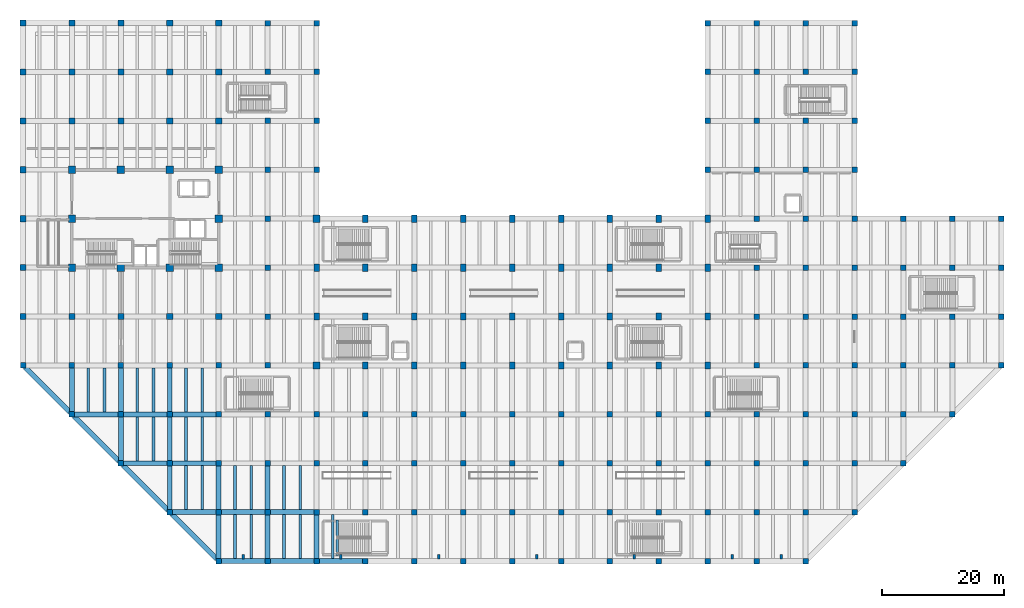
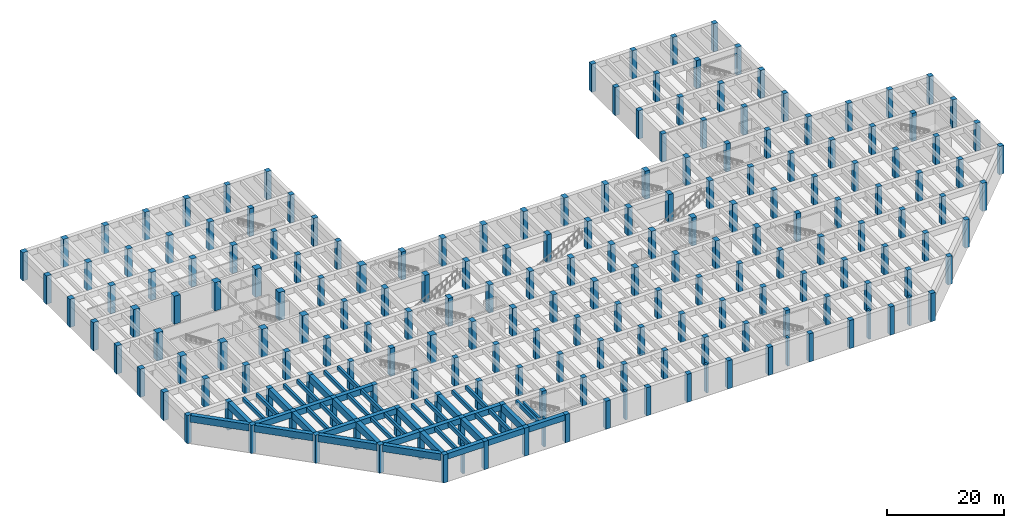
# One storey, part 1 of 24: 197 columns, 48 beams.
"""IFC4 building model written with IfcOpenShell, lengths in metres."""

import ifcopenshell
import ifcopenshell.guid

model = None  # the IFC model being written
_history = None  # IfcOwnerHistory: only IFC2X3 demands one
_inside = {}  # id of a spatial element -> (the spatial element, [elements in it])
_under = {}  # id of a project, library or spatial element -> (it, [spatial elements below it])
_declared = {}  # id of a project -> (the project, [libraries it declares])
_typed = {}  # id of a type object -> (the type object, [elements of that type])
_made_of = {}  # id of a material, layer set ... -> (it, [elements and type objects made of it])


def new_model(schema):
    """Start an empty IFC model of exactly this schema.

    Asked for "IFC4X3", IfcOpenShell would pick the latest addendum, in which some entities
    have other attributes; the version numbers below select the first issue.
    IFC2X3 requires an IfcOwnerHistory on every rooted entity: one is made here for all.
    """
    global model, _history
    if schema == "IFC4X3":
        model = ifcopenshell.file(schema_version=(4, 3, 0, 0))
    else:
        model = ifcopenshell.file(schema=schema)
    _inside.clear()
    _under.clear()
    _declared.clear()
    _typed.clear()
    _made_of.clear()
    _history = None
    if model.schema == "IFC2X3":
        org = make("IfcOrganization", Name="unknown")
        user = make(
            "IfcPersonAndOrganization",
            ThePerson=make("IfcPerson", FamilyName="unknown"),
            TheOrganization=org,
        )
        app = make(
            "IfcApplication",
            ApplicationDeveloper=org,
            Version="unknown",
            ApplicationFullName="unknown",
            ApplicationIdentifier="unknown",
        )
        _history = make(
            "IfcOwnerHistory",
            OwningUser=user,
            OwningApplication=app,
            ChangeAction="ADDED",
            CreationDate=0,
        )
    return model


def make(cls, **values):
    """One entity of the class cls with the attributes given. An attribute that is None is left unset."""
    return model.create_entity(
        cls, **{name: value for name, value in values.items() if value is not None}
    )


def rooted(cls, **values):
    """An entity with a GlobalId (a new one), such as an element, a storey or a relation."""
    return make(cls, GlobalId=ifcopenshell.guid.new(), OwnerHistory=_history, **values)


def si_unit(unit_type, name, prefix=None):
    """IfcSIUnit, for example si_unit("LENGTHUNIT", "METRE", prefix="MILLI")."""
    return make("IfcSIUnit", UnitType=unit_type, Prefix=prefix, Name=name)


def assignment(units):
    """IfcUnitAssignment: the units of a project."""
    return None if units is None else make("IfcUnitAssignment", Units=units)


def point(xyz):
    """IfcCartesianPoint."""
    return None if xyz is None else make("IfcCartesianPoint", Coordinates=xyz)


def direction(xyz):
    """IfcDirection."""
    return None if xyz is None else make("IfcDirection", DirectionRatios=xyz)


def frame(location, z_axis=None, x_axis=None):
    """IfcAxis2Placement3D, a coordinate frame: its origin and axes. An axis left out is left unset."""
    return make(
        "IfcAxis2Placement3D",
        Location=point(location),
        Axis=direction(z_axis),
        RefDirection=direction(x_axis),
    )


def frame_2d(location, x_axis=None):
    """IfcAxis2Placement2D, a coordinate frame in the plane: its origin and x axis."""
    return make(
        "IfcAxis2Placement2D", Location=point(location), RefDirection=direction(x_axis)
    )


def origin():
    """The frame at (0, 0, 0) with its axes left unset."""
    return frame((0.0, 0.0, 0.0))


def origin_2d():
    """The frame at (0, 0) in the plane with its x axis left unset."""
    return frame_2d((0.0, 0.0))


def place(relative_to, where):
    """IfcLocalPlacement: puts the frame where relative to a parent placement (None: the world)."""
    return make(
        "IfcLocalPlacement", PlacementRelTo=relative_to, RelativePlacement=where
    )


def context(
    kind, dimensions, precision=None, world=None, true_north=None, identifier=None
):
    """IfcGeometricRepresentationContext, for example the 3D "Model" context."""
    return make(
        "IfcGeometricRepresentationContext",
        ContextIdentifier=identifier,
        ContextType=kind,
        CoordinateSpaceDimension=dimensions,
        Precision=precision,
        WorldCoordinateSystem=world,
        TrueNorth=true_north,
    )


def subcontext(parent, identifier, kind, view, scale=None):
    """IfcGeometricRepresentationSubContext, for example "Body" below "Model"."""
    return make(
        "IfcGeometricRepresentationSubContext",
        ContextIdentifier=identifier,
        ContextType=kind,
        ParentContext=parent,
        TargetScale=scale,
        TargetView=view,
    )


def project(units=None, contexts=None):
    """IfcProject with its units and contexts."""
    return rooted(
        "IfcProject",
        Name="project",
        RepresentationContexts=contexts,
        UnitsInContext=assignment(units),
    )


def spatial(cls, under=None, at=None, **own):
    """A site, building, storey or space (cls), placed at a placement, below another one or the project."""
    s = rooted(cls, ObjectPlacement=at, **own)
    if under is not None:
        _under.setdefault(under.id(), (under, []))[1].append(s)
    return s


def profile(cls, at=None, kind="AREA", **sizes):
    """A parametric profile (cls). Its sizes go by their IFC names, for example OverallWidth=200.0."""
    return make(cls, ProfileType=kind, Position=at, **sizes)


def rectangle(**sizes):
    """IfcRectangleProfileDef."""
    return profile("IfcRectangleProfileDef", **sizes)


def extrude(swept, where, along, depth):
    """IfcExtrudedAreaSolid: the profile swept, set in the frame where, extruded along a direction by depth."""
    return make(
        "IfcExtrudedAreaSolid",
        SweptArea=swept,
        Position=where,
        ExtrudedDirection=direction(along),
        Depth=depth,
    )


def shape(context_of_items, identifier, shape_type, items):
    """IfcShapeRepresentation: the items that make up one representation, for example the "Body"."""
    return make(
        "IfcShapeRepresentation",
        ContextOfItems=context_of_items,
        RepresentationIdentifier=identifier,
        RepresentationType=shape_type,
        Items=items,
    )


def material(Name=None, Category=None):
    """IfcMaterial."""
    return make("IfcMaterial", Name=Name, Category=Category)


def material_profile(
    of_material, cross_section, Name=None, Category=None, Priority=None
):
    """IfcMaterialProfile: a cross section and its material."""
    return make(
        "IfcMaterialProfile",
        Name=Name,
        Material=of_material,
        Profile=cross_section,
        Priority=Priority,
        Category=Category,
    )


def profile_set(profiles, Name=None, composite=None):
    """IfcMaterialProfileSet."""
    return make(
        "IfcMaterialProfileSet",
        Name=Name,
        MaterialProfiles=profiles,
        CompositeProfile=composite,
    )


def made_of(thing, what):
    """Note that an element or type object is made of a material, layer set ...; save() writes the relation."""
    if what is not None:
        _made_of.setdefault(what.id(), (what, []))[1].append(thing)
    return thing


def type_object(cls, material=None, **own):
    """A type object (cls), such as IfcWallType, which elements share."""
    return made_of(rooted(cls, **own), material)


def element(
    cls,
    number,
    at=None,
    inside=None,
    cuts=None,
    type_object=None,
    material=None,
    context=None,
    identifier="Body",
    shape_type=None,
    held_by="IfcProductDefinitionShape",
    body=None,
    shapes=None,
    **own,
):
    """One element of the class cls, such as IfcWall. Its Tag is "e" and its number.

    at: its placement. inside: the storey or other place that contains it. cuts: it is an
    opening in that element (IfcRelVoidsElement). A single representation is given by context,
    identifier, shape_type and body (its items); several are given by shapes. held_by: the class
    of the entity that holds the representations. save() writes the other relations.
    """
    e = rooted(cls, Tag="e%d" % number, ObjectPlacement=at, **own)
    if body is not None:
        shapes = [shape(context, identifier, shape_type, body)]
    if shapes is not None:
        e.Representation = make(held_by, Representations=shapes)
    if inside is not None:
        _inside.setdefault(inside.id(), (inside, []))[1].append(e)
    if cuts is not None:
        rooted(
            "IfcRelVoidsElement", RelatingBuildingElement=cuts, RelatedOpeningElement=e
        )
    if type_object is not None:
        _typed.setdefault(type_object.id(), (type_object, []))[1].append(e)
    return made_of(e, material)


def aggregate(whole, parts):
    """IfcRelAggregates: a whole, such as a stair, and the parts it consists of."""
    return rooted("IfcRelAggregates", RelatingObject=whole, RelatedObjects=parts)


def save(model, path):
    """Write the relations noted so far, then the file.

    IfcRelAggregates (storeys below a building ...), IfcRelContainedInSpatialStructure (elements
    in a storey), IfcRelDefinesByType, IfcRelAssociatesMaterial and IfcRelDeclares: one each for
    every whole, place, type object, material and project.
    """
    for whole, parts in _under.values():
        aggregate(whole, parts)
    for where, things in _inside.values():
        rooted(
            "IfcRelContainedInSpatialStructure",
            RelatedElements=things,
            RelatingStructure=where,
        )
    for kind, things in _typed.values():
        rooted("IfcRelDefinesByType", RelatedObjects=things, RelatingType=kind)
    for what, things in _made_of.values():
        rooted("IfcRelAssociatesMaterial", RelatedObjects=things, RelatingMaterial=what)
    for by, libraries in _declared.values():
        rooted("IfcRelDeclares", RelatingContext=by, RelatedDefinitions=libraries)
    model.write(path)


model = new_model("IFC4")

# Units and contexts
model_context = context("Model", 3, precision=1e-05, world=origin(), true_north=direction((0.0, 1.0)))
body_context = subcontext(model_context, "Body", "Model", "MODEL_VIEW")
ifc_project = project(units=[si_unit("LENGTHUNIT", "METRE"), si_unit("AREAUNIT", "SQUARE_METRE"), si_unit("VOLUMEUNIT", "CUBIC_METRE"), si_unit("PLANEANGLEUNIT", "RADIAN"), si_unit("MASSUNIT", "GRAM", prefix="KILO")], contexts=[model_context])

# Site, building, storey
site_placement = place(None, origin())
site = spatial("IfcSite", under=ifc_project, at=site_placement, CompositionType="ELEMENT")
building_placement = place(site_placement, origin())
building = spatial("IfcBuilding", under=site, at=building_placement, Name="Varnela Railside Interchange", CompositionType="ELEMENT")
storey_placement = place(building_placement, frame((0.0, 0.0, -6.300048828125)))
storey = spatial("IfcBuildingStorey", under=building, at=storey_placement, Name="B1", CompositionType="ELEMENT", Elevation=-6.300048828125)

# Columns
ifc_material_1 = material(Name="Concrete C50", Category="concrete")
ifc_material_profile_1 = material_profile(ifc_material_1, rectangle(XDim=0.39990234375, YDim=0.800048828125, at=origin_2d()), Name="RC 400x800")
ifc_profile_set_1 = profile_set([ifc_material_profile_1], Name="Concrete C50")
column_type_1 = type_object("IfcColumnType", Name="Diaphragm Wall Pilaster CP-01", PredefinedType="PILASTER", material=ifc_profile_set_1)
for number, where, z_axis, x_axis, name in (
    (1, (40.0, 6.699951171875, 0.0), (0.0, 0.0, 1.0), (1.0, 0.0, 0.0), "Column CP-01 (B1) (CL-0388)"),
    (2, (56.0, 6.699951171875, 0.0), (0.0, 0.0, 1.0), (1.0, 0.0, 0.0), "Column CP-01 (B1) (CL-0389)"),
    (3, (72.0, 6.699951171875, 0.0), (0.0, 0.0, 1.0), (1.0, 0.0, 0.0), "Column CP-01 (B1) (CL-0390)"),
    (4, (88.0, 6.699951171875, 0.0), (0.0, 0.0, 1.0), (1.0, 0.0, 0.0), "Column CP-01 (B1) (CL-0391)"),
    (5, (104.0, 6.699951171875, 0.0), (0.0, 0.0, 1.0), (1.0, 0.0, 0.0), "Column CP-01 (B1) (CL-0392)"),
    (6, (120.0, 6.699951171875, 0.0), (0.0, 0.0, 1.0), (1.0, 0.0, 0.0), "Column CP-01 (B1) (CL-0393)"),
    (7, (128.0, 6.699951171875, 0.0), (0.0, 0.0, 1.0), (1.0, 0.0, 0.0), "Column CP-01 (B1) (CL-0394)"),
):
    element("IfcColumn", number, at=place(storey_placement, frame(where, z_axis=z_axis, x_axis=x_axis)), inside=storey, type_object=column_type_1, Name=name, PredefinedType="PILASTER", context=body_context, shape_type="SweptSolid", body=[
        extrude(rectangle(XDim=0.39990234375, YDim=0.800048828125, at=origin_2d()), origin(), (0.0, 0.0, 1.0), 5.85009765625),
    ])
ifc_material_profile_2 = material_profile(ifc_material_1, rectangle(XDim=0.89990234375, YDim=1.199951171875, at=origin_2d()), Name="RC 900x1200")
ifc_profile_set_2 = profile_set([ifc_material_profile_2], Name="Concrete C50")
column_type_2 = type_object("IfcColumnType", Name="Plinth Rectangular Column C-06", PredefinedType="COLUMN", material=ifc_profile_set_2)
for number, where, z_axis, x_axis, name in (
    (8, (52.0, 46.0, 0.0), (0.0, 0.0, 1.0), (1.0, 0.0, 0.0), "Column C-06 (B1) (CL-0365)"),
    (9, (52.0, 54.0, 0.0), (0.0, 0.0, 1.0), (1.0, 0.0, 0.0), "Column C-06 (B1) (CL-0366)"),
    (10, (60.0, 38.0, 0.0), (0.0, 0.0, 1.0), (1.0, 0.0, 0.0), "Column C-06 (B1) (CL-0376)"),
    (11, (60.0, 46.0, 0.0), (0.0, 0.0, 1.0), (1.0, 0.0, 0.0), "Column C-06 (B1) (CL-0377)"),
    (12, (60.0, 54.0, 0.0), (0.0, 0.0, 1.0), (1.0, 0.0, 0.0), "Column C-06 (B1) (CL-0378)"),
    (13, (60.0, 62.0, 0.0), (0.0, 0.0, 1.0), (1.0, 0.0, 0.0), "Column C-06 (B1) (CL-0379)"),
    (14, (68.0, 38.0, 0.0), (0.0, 0.0, 1.0), (1.0, 0.0, 0.0), "Column C-06 (B1) (CL-0384)"),
    (15, (68.0, 46.0, 0.0), (0.0, 0.0, 1.0), (1.0, 0.0, 0.0), "Column C-06 (B1) (CL-0385)"),
    (16, (68.0, 54.0, 0.0), (0.0, 0.0, 1.0), (1.0, 0.0, 0.0), "Column C-06 (B1) (CL-0386)"),
    (17, (68.0, 62.0, 0.0), (0.0, 0.0, 1.0), (1.0, 0.0, 0.0), "Column C-06 (B1) (CL-0387)"),
    (18, (76.0, 38.0, 0.0), (0.0, 0.0, 1.0), (1.0, 0.0, 0.0), "Column C-06 (B1) (CL-0202)"),
    (19, (76.0, 46.0, 0.0), (0.0, 0.0, 1.0), (1.0, 0.0, 0.0), "Column C-06 (B1) (CL-0203)"),
    (20, (76.0, 54.0, 0.0), (0.0, 0.0, 1.0), (1.0, 0.0, 0.0), "Column C-06 (B1) (CL-0204)"),
    (21, (76.0, 62.0, 0.0), (0.0, 0.0, 1.0), (1.0, 0.0, 0.0), "Column C-06 (B1) (CL-0205)"),
    (22, (84.0, 38.0, 0.0), (0.0, 0.0, 1.0), (1.0, 0.0, 0.0), "Column C-06 (B1) (CL-0210)"),
    (23, (84.0, 46.0, 0.0), (0.0, 0.0, 1.0), (1.0, 0.0, 0.0), "Column C-06 (B1) (CL-0211)"),
    (24, (84.0, 54.0, 0.0), (0.0, 0.0, 1.0), (1.0, 0.0, 0.0), "Column C-06 (B1) (CL-0212)"),
    (25, (84.0, 62.0, 0.0), (0.0, 0.0, 1.0), (1.0, 0.0, 0.0), "Column C-06 (B1) (CL-0213)"),
    (26, (92.0, 38.0, 0.0), (0.0, 0.0, 1.0), (1.0, 0.0, 0.0), "Column C-06 (B1) (CL-0218)"),
    (27, (92.0, 46.0, 0.0), (0.0, 0.0, 1.0), (1.0, 0.0, 0.0), "Column C-06 (B1) (CL-0219)"),
    (28, (92.0, 54.0, 0.0), (0.0, 0.0, 1.0), (1.0, 0.0, 0.0), "Column C-06 (B1) (CL-0220)"),
    (29, (92.0, 62.0, 0.0), (0.0, 0.0, 1.0), (1.0, 0.0, 0.0), "Column C-06 (B1) (CL-0221)"),
    (30, (100.0, 38.0, 0.0), (0.0, 0.0, 1.0), (1.0, 0.0, 0.0), "Column C-06 (B1) (CL-0226)"),
    (31, (100.0, 46.0, 0.0), (0.0, 0.0, 1.0), (1.0, 0.0, 0.0), "Column C-06 (B1) (CL-0227)"),
    (32, (100.0, 54.0, 0.0), (0.0, 0.0, 1.0), (1.0, 0.0, 0.0), "Column C-06 (B1) (CL-0228)"),
    (33, (100.0, 62.0, 0.0), (0.0, 0.0, 1.0), (1.0, 0.0, 0.0), "Column C-06 (B1) (CL-0229)"),
    (34, (108.0, 38.0, 0.0), (0.0, 0.0, 1.0), (1.0, 0.0, 0.0), "Column C-06 (B1) (CL-0234)"),
    (35, (108.0, 46.0, 0.0), (0.0, 0.0, 1.0), (1.0, 0.0, 0.0), "Column C-06 (B1) (CL-0235)"),
    (36, (108.0, 54.0, 0.0), (0.0, 0.0, 1.0), (1.0, 0.0, 0.0), "Column C-06 (B1) (CL-0236)"),
    (37, (108.0, 62.0, 0.0), (0.0, 0.0, 1.0), (1.0, 0.0, 0.0), "Column C-06 (B1) (CL-0237)"),
    (38, (116.0, 38.0, 0.0), (0.0, 0.0, 1.0), (1.0, 0.0, 0.0), "Column C-06 (B1) (CL-0242)"),
    (39, (116.0, 46.0, 0.0), (0.0, 0.0, 1.0), (1.0, 0.0, 0.0), "Column C-06 (B1) (CL-0243)"),
    (40, (116.0, 54.0, 0.0), (0.0, 0.0, 1.0), (1.0, 0.0, 0.0), "Column C-06 (B1) (CL-0244)"),
    (41, (116.0, 62.0, 0.0), (0.0, 0.0, 1.0), (1.0, 0.0, 0.0), "Column C-06 (B1) (CL-0245)"),
):
    element("IfcColumn", number, at=place(storey_placement, frame(where, z_axis=z_axis, x_axis=x_axis)), inside=storey, type_object=column_type_2, Name=name, PredefinedType="COLUMN", context=body_context, shape_type="SweptSolid", body=[
        extrude(rectangle(XDim=0.89990234375, YDim=1.199951171875, at=origin_2d()), origin(), (0.0, 0.0, 1.0), 5.85009765625),
    ])
ifc_material_profile_3 = material_profile(ifc_material_1, rectangle(XDim=0.89990234375, YDim=0.89990234375, at=origin_2d()), Name="RC 900x900")
ifc_profile_set_3 = profile_set([ifc_material_profile_3], Name="Concrete C50")
column_type_3 = type_object("IfcColumnType", Name="Plinth Square Column C-05", PredefinedType="COLUMN", material=ifc_profile_set_3)
for number, where, z_axis, x_axis, name in (
    (42, (4.0, 38.0, 0.0), (0.0, 0.0, 1.0), (1.0, 0.0, 0.0), "Column C-05 (B1) (CL-0291)"),
    (43, (12.0, 30.0, 0.0), (0.0, 0.0, 1.0), (1.0, 0.0, 0.0), "Column C-05 (B1) (CL-0308)"),
    (44, (12.0, 38.0, 0.0), (0.0, 0.0, 1.0), (1.0, 0.0, 0.0), "Column C-05 (B1) (CL-0309)"),
    (45, (20.0, 22.0, 0.0), (0.0, 0.0, 1.0), (1.0, 0.0, 0.0), "Column C-05 (B1) (CL-0317)"),
    (46, (20.0, 30.0, 0.0), (0.0, 0.0, 1.0), (1.0, 0.0, 0.0), "Column C-05 (B1) (CL-0318)"),
    (47, (20.0, 38.0, 0.0), (0.0, 0.0, 1.0), (1.0, 0.0, 0.0), "Column C-05 (B1) (CL-0319)"),
    (48, (28.0, 14.0, 0.0), (0.0, 0.0, 1.0), (1.0, 0.0, 0.0), "Column C-05 (B1) (CL-0326)"),
    (49, (28.0, 22.0, 0.0), (0.0, 0.0, 1.0), (1.0, 0.0, 0.0), "Column C-05 (B1) (CL-0327)"),
    (50, (28.0, 30.0, 0.0), (0.0, 0.0, 1.0), (1.0, 0.0, 0.0), "Column C-05 (B1) (CL-0328)"),
    (51, (28.0, 38.0, 0.0), (0.0, 0.0, 1.0), (1.0, 0.0, 0.0), "Column C-05 (B1) (CL-0329)"),
    (52, (36.0, 6.0, 0.0), (0.0, 0.0, 1.0), (1.0, 0.0, 0.0), "Column C-05 (B1) (CL-0336)"),
    (53, (36.0, 14.0, 0.0), (0.0, 0.0, 1.0), (1.0, 0.0, 0.0), "Column C-05 (B1) (CL-0337)"),
    (54, (36.0, 22.0, 0.0), (0.0, 0.0, 1.0), (1.0, 0.0, 0.0), "Column C-05 (B1) (CL-0338)"),
    (55, (36.0, 30.0, 0.0), (0.0, 0.0, 1.0), (1.0, 0.0, 0.0), "Column C-05 (B1) (CL-0339)"),
    (56, (36.0, 38.0, 0.0), (0.0, 0.0, 1.0), (1.0, 0.0, 0.0), "Column C-05 (B1) (CL-0340)"),
    (57, (44.0, 6.0, 0.0), (0.0, 0.0, 1.0), (1.0, 0.0, 0.0), "Column C-05 (B1) (CL-0348)"),
    (58, (44.0, 14.0, 0.0), (0.0, 0.0, 1.0), (1.0, 0.0, 0.0), "Column C-05 (B1) (CL-0349)"),
    (59, (44.0, 22.0, 0.0), (0.0, 0.0, 1.0), (1.0, 0.0, 0.0), "Column C-05 (B1) (CL-0350)"),
    (60, (44.0, 30.0, 0.0), (0.0, 0.0, 1.0), (1.0, 0.0, 0.0), "Column C-05 (B1) (CL-0351)"),
    (61, (44.0, 38.0, 0.0), (0.0, 0.0, 1.0), (1.0, 0.0, 0.0), "Column C-05 (B1) (CL-0352)"),
    (62, (44.0, 46.0, 0.0), (0.0, 0.0, 1.0), (1.0, 0.0, 0.0), "Column C-05 (B1) (CL-0353)"),
    (63, (44.0, 54.0, 0.0), (0.0, 0.0, 1.0), (1.0, 0.0, 0.0), "Column C-05 (B1) (CL-0354)"),
    (64, (44.0, 62.0, 0.0), (0.0, 0.0, 1.0), (1.0, 0.0, 0.0), "Column C-05 (B1) (CL-0355)"),
    (65, (44.0, 70.0, 0.0), (0.0, 0.0, 1.0), (1.0, 0.0, 0.0), "Column C-05 (B1) (CL-0356)"),
    (66, (44.0, 78.0, 0.0), (0.0, 0.0, 1.0), (1.0, 0.0, 0.0), "Column C-05 (B1) (CL-0357)"),
    (67, (44.0, 86.0, 0.0), (0.0, 0.0, 1.0), (1.0, 0.0, 0.0), "Column C-05 (B1) (CL-0358)"),
    (68, (44.0, 94.0, 0.0), (0.0, 0.0, 1.0), (1.0, 0.0, 0.0), "Column C-05 (B1) (CL-0359)"),
    (69, (52.0, 6.0, 0.0), (0.0, 0.0, 1.0), (1.0, 0.0, 0.0), "Column C-05 (B1) (CL-0360)"),
    (70, (52.0, 14.0, 0.0), (0.0, 0.0, 1.0), (1.0, 0.0, 0.0), "Column C-05 (B1) (CL-0361)"),
    (71, (52.0, 22.0, 0.0), (0.0, 0.0, 1.0), (1.0, 0.0, 0.0), "Column C-05 (B1) (CL-0362)"),
    (72, (52.0, 30.0, 0.0), (0.0, 0.0, 1.0), (1.0, 0.0, 0.0), "Column C-05 (B1) (CL-0363)"),
    (73, (52.0, 70.0, 0.0), (0.0, 0.0, 1.0), (1.0, 0.0, 0.0), "Column C-05 (B1) (CL-0368)"),
    (74, (52.0, 78.0, 0.0), (0.0, 0.0, 1.0), (1.0, 0.0, 0.0), "Column C-05 (B1) (CL-0369)"),
    (75, (52.0, 86.0, 0.0), (0.0, 0.0, 1.0), (1.0, 0.0, 0.0), "Column C-05 (B1) (CL-0370)"),
    (76, (52.0, 94.0, 0.0), (0.0, 0.0, 1.0), (1.0, 0.0, 0.0), "Column C-05 (B1) (CL-0371)"),
    (77, (60.0, 6.0, 0.0), (0.0, 0.0, 1.0), (1.0, 0.0, 0.0), "Column C-05 (B1) (CL-0372)"),
    (78, (60.0, 14.0, 0.0), (0.0, 0.0, 1.0), (1.0, 0.0, 0.0), "Column C-05 (B1) (CL-0373)"),
    (79, (60.0, 22.0, 0.0), (0.0, 0.0, 1.0), (1.0, 0.0, 0.0), "Column C-05 (B1) (CL-0374)"),
    (80, (60.0, 30.0, 0.0), (0.0, 0.0, 1.0), (1.0, 0.0, 0.0), "Column C-05 (B1) (CL-0375)"),
    (81, (68.0, 6.0, 0.0), (0.0, 0.0, 1.0), (1.0, 0.0, 0.0), "Column C-05 (B1) (CL-0380)"),
    (82, (68.0, 14.0, 0.0), (0.0, 0.0, 1.0), (1.0, 0.0, 0.0), "Column C-05 (B1) (CL-0381)"),
    (83, (68.0, 22.0, 0.0), (0.0, 0.0, 1.0), (1.0, 0.0, 0.0), "Column C-05 (B1) (CL-0382)"),
    (84, (68.0, 30.0, 0.0), (0.0, 0.0, 1.0), (1.0, 0.0, 0.0), "Column C-05 (B1) (CL-0383)"),
    (85, (76.0, 6.0, 0.0), (0.0, 0.0, 1.0), (1.0, 0.0, 0.0), "Column C-05 (B1) (CL-0198)"),
    (86, (76.0, 14.0, 0.0), (0.0, 0.0, 1.0), (1.0, 0.0, 0.0), "Column C-05 (B1) (CL-0199)"),
    (87, (76.0, 22.0, 0.0), (0.0, 0.0, 1.0), (1.0, 0.0, 0.0), "Column C-05 (B1) (CL-0200)"),
    (88, (76.0, 30.0, 0.0), (0.0, 0.0, 1.0), (1.0, 0.0, 0.0), "Column C-05 (B1) (CL-0201)"),
    (89, (84.0, 6.0, 0.0), (0.0, 0.0, 1.0), (1.0, 0.0, 0.0), "Column C-05 (B1) (CL-0206)"),
    (90, (84.0, 14.0, 0.0), (0.0, 0.0, 1.0), (1.0, 0.0, 0.0), "Column C-05 (B1) (CL-0207)"),
    (91, (84.0, 22.0, 0.0), (0.0, 0.0, 1.0), (1.0, 0.0, 0.0), "Column C-05 (B1) (CL-0208)"),
    (92, (84.0, 30.0, 0.0), (0.0, 0.0, 1.0), (1.0, 0.0, 0.0), "Column C-05 (B1) (CL-0209)"),
    (93, (92.0, 6.0, 0.0), (0.0, 0.0, 1.0), (1.0, 0.0, 0.0), "Column C-05 (B1) (CL-0214)"),
    (94, (92.0, 14.0, 0.0), (0.0, 0.0, 1.0), (1.0, 0.0, 0.0), "Column C-05 (B1) (CL-0215)"),
    (95, (92.0, 22.0, 0.0), (0.0, 0.0, 1.0), (1.0, 0.0, 0.0), "Column C-05 (B1) (CL-0216)"),
    (96, (92.0, 30.0, 0.0), (0.0, 0.0, 1.0), (1.0, 0.0, 0.0), "Column C-05 (B1) (CL-0217)"),
    (97, (100.0, 6.0, 0.0), (0.0, 0.0, 1.0), (1.0, 0.0, 0.0), "Column C-05 (B1) (CL-0222)"),
    (98, (100.0, 14.0, 0.0), (0.0, 0.0, 1.0), (1.0, 0.0, 0.0), "Column C-05 (B1) (CL-0223)"),
    (99, (100.0, 22.0, 0.0), (0.0, 0.0, 1.0), (1.0, 0.0, 0.0), "Column C-05 (B1) (CL-0224)"),
    (100, (100.0, 30.0, 0.0), (0.0, 0.0, 1.0), (1.0, 0.0, 0.0), "Column C-05 (B1) (CL-0225)"),
    (101, (108.0, 6.0, 0.0), (0.0, 0.0, 1.0), (1.0, 0.0, 0.0), "Column C-05 (B1) (CL-0230)"),
    (102, (108.0, 14.0, 0.0), (0.0, 0.0, 1.0), (1.0, 0.0, 0.0), "Column C-05 (B1) (CL-0231)"),
    (103, (108.0, 22.0, 0.0), (0.0, 0.0, 1.0), (1.0, 0.0, 0.0), "Column C-05 (B1) (CL-0232)"),
    (104, (108.0, 30.0, 0.0), (0.0, 0.0, 1.0), (1.0, 0.0, 0.0), "Column C-05 (B1) (CL-0233)"),
    (105, (116.0, 6.0, 0.0), (0.0, 0.0, 1.0), (1.0, 0.0, 0.0), "Column C-05 (B1) (CL-0238)"),
    (106, (116.0, 14.0, 0.0), (0.0, 0.0, 1.0), (1.0, 0.0, 0.0), "Column C-05 (B1) (CL-0239)"),
    (107, (116.0, 22.0, 0.0), (0.0, 0.0, 1.0), (1.0, 0.0, 0.0), "Column C-05 (B1) (CL-0240)"),
    (108, (116.0, 30.0, 0.0), (0.0, 0.0, 1.0), (1.0, 0.0, 0.0), "Column C-05 (B1) (CL-0241)"),
    (109, (116.0, 70.0, 0.0), (0.0, 0.0, 1.0), (1.0, 0.0, 0.0), "Column C-05 (B1) (CL-0246)"),
    (110, (116.0, 78.0, 0.0), (0.0, 0.0, 1.0), (1.0, 0.0, 0.0), "Column C-05 (B1) (CL-0247)"),
    (111, (116.0, 86.0, 0.0), (0.0, 0.0, 1.0), (1.0, 0.0, 0.0), "Column C-05 (B1) (CL-0248)"),
    (112, (116.0, 94.0, 0.0), (0.0, 0.0, 1.0), (1.0, 0.0, 0.0), "Column C-05 (B1) (CL-0249)"),
    (113, (124.0, 6.0, 0.0), (0.0, 0.0, 1.0), (1.0, 0.0, 0.0), "Column C-05 (B1) (CL-0250)"),
    (114, (124.0, 14.0, 0.0), (0.0, 0.0, 1.0), (1.0, 0.0, 0.0), "Column C-05 (B1) (CL-0251)"),
    (115, (124.0, 22.0, 0.0), (0.0, 0.0, 1.0), (1.0, 0.0, 0.0), "Column C-05 (B1) (CL-0252)"),
    (116, (124.0, 30.0, 0.0), (0.0, 0.0, 1.0), (1.0, 0.0, 0.0), "Column C-05 (B1) (CL-0253)"),
    (117, (124.0, 38.0, 0.0), (0.0, 0.0, 1.0), (1.0, 0.0, 0.0), "Column C-05 (B1) (CL-0254)"),
    (118, (124.0, 46.0, 0.0), (0.0, 0.0, 1.0), (1.0, 0.0, 0.0), "Column C-05 (B1) (CL-0255)"),
    (119, (124.0, 54.0, 0.0), (0.0, 0.0, 1.0), (1.0, 0.0, 0.0), "Column C-05 (B1) (CL-0256)"),
    (120, (124.0, 62.0, 0.0), (0.0, 0.0, 1.0), (1.0, 0.0, 0.0), "Column C-05 (B1) (CL-0257)"),
    (121, (124.0, 70.0, 0.0), (0.0, 0.0, 1.0), (1.0, 0.0, 0.0), "Column C-05 (B1) (CL-0258)"),
    (122, (124.0, 78.0, 0.0), (0.0, 0.0, 1.0), (1.0, 0.0, 0.0), "Column C-05 (B1) (CL-0259)"),
    (123, (124.0, 86.0, 0.0), (0.0, 0.0, 1.0), (1.0, 0.0, 0.0), "Column C-05 (B1) (CL-0260)"),
    (124, (124.0, 94.0, 0.0), (0.0, 0.0, 1.0), (1.0, 0.0, 0.0), "Column C-05 (B1) (CL-0261)"),
    (125, (132.0, 6.0, 0.0), (0.0, 0.0, 1.0), (1.0, 0.0, 0.0), "Column C-05 (B1) (CL-0262)"),
    (126, (132.0, 14.0, 0.0), (0.0, 0.0, 1.0), (1.0, 0.0, 0.0), "Column C-05 (B1) (CL-0263)"),
    (127, (132.0, 22.0, 0.0), (0.0, 0.0, 1.0), (1.0, 0.0, 0.0), "Column C-05 (B1) (CL-0264)"),
    (128, (132.0, 30.0, 0.0), (0.0, 0.0, 1.0), (1.0, 0.0, 0.0), "Column C-05 (B1) (CL-0265)"),
    (129, (132.0, 38.0, 0.0), (0.0, 0.0, 1.0), (1.0, 0.0, 0.0), "Column C-05 (B1) (CL-0266)"),
    (130, (132.0, 46.0, 0.0), (0.0, 0.0, 1.0), (1.0, 0.0, 0.0), "Column C-05 (B1) (CL-0267)"),
    (131, (132.0, 54.0, 0.0), (0.0, 0.0, 1.0), (1.0, 0.0, 0.0), "Column C-05 (B1) (CL-0268)"),
    (132, (132.0, 62.0, 0.0), (0.0, 0.0, 1.0), (1.0, 0.0, 0.0), "Column C-05 (B1) (CL-0269)"),
    (133, (132.0, 70.0, 0.0), (0.0, 0.0, 1.0), (1.0, 0.0, 0.0), "Column C-05 (B1) (CL-0270)"),
    (134, (132.0, 78.0, 0.0), (0.0, 0.0, 1.0), (1.0, 0.0, 0.0), "Column C-05 (B1) (CL-0271)"),
    (135, (132.0, 86.0, 0.0), (0.0, 0.0, 1.0), (1.0, 0.0, 0.0), "Column C-05 (B1) (CL-0272)"),
    (136, (132.0, 94.0, 0.0), (0.0, 0.0, 1.0), (1.0, 0.0, 0.0), "Column C-05 (B1) (CL-0273)"),
    (137, (140.0, 14.0, 0.0), (0.0, 0.0, 1.0), (1.0, 0.0, 0.0), "Column C-05 (B1) (CL-0274)"),
    (138, (140.0, 22.0, 0.0), (0.0, 0.0, 1.0), (1.0, 0.0, 0.0), "Column C-05 (B1) (CL-0275)"),
    (139, (140.0, 30.0, 0.0), (0.0, 0.0, 1.0), (1.0, 0.0, 0.0), "Column C-05 (B1) (CL-0276)"),
    (140, (140.0, 38.0, 0.0), (0.0, 0.0, 1.0), (1.0, 0.0, 0.0), "Column C-05 (B1) (CL-0277)"),
    (141, (140.0, 46.0, 0.0), (0.0, 0.0, 1.0), (1.0, 0.0, 0.0), "Column C-05 (B1) (CL-0278)"),
    (142, (140.0, 54.0, 0.0), (0.0, 0.0, 1.0), (1.0, 0.0, 0.0), "Column C-05 (B1) (CL-0279)"),
    (143, (140.0, 62.0, 0.0), (0.0, 0.0, 1.0), (1.0, 0.0, 0.0), "Column C-05 (B1) (CL-0280)"),
    (144, (140.0, 70.0, 0.0), (0.0, 0.0, 1.0), (1.0, 0.0, 0.0), "Column C-05 (B1) (CL-0281)"),
    (145, (140.0, 78.0, 0.0), (0.0, 0.0, 1.0), (1.0, 0.0, 0.0), "Column C-05 (B1) (CL-0282)"),
    (146, (140.0, 86.0, 0.0), (0.0, 0.0, 1.0), (1.0, 0.0, 0.0), "Column C-05 (B1) (CL-0283)"),
    (147, (140.0, 94.0, 0.0), (0.0, 0.0, 1.0), (1.0, 0.0, 0.0), "Column C-05 (B1) (CL-0284)"),
    (148, (148.0, 22.0, 0.0), (0.0, 0.0, 1.0), (1.0, 0.0, 0.0), "Column C-05 (B1) (CL-0285)"),
    (149, (148.0, 30.0, 0.0), (0.0, 0.0, 1.0), (1.0, 0.0, 0.0), "Column C-05 (B1) (CL-0286)"),
    (150, (148.0, 38.0, 0.0), (0.0, 0.0, 1.0), (1.0, 0.0, 0.0), "Column C-05 (B1) (CL-0287)"),
    (151, (148.0, 46.0, 0.0), (0.0, 0.0, 1.0), (1.0, 0.0, 0.0), "Column C-05 (B1) (CL-0288)"),
    (152, (148.0, 54.0, 0.0), (0.0, 0.0, 1.0), (1.0, 0.0, 0.0), "Column C-05 (B1) (CL-0289)"),
    (153, (148.0, 62.0, 0.0), (0.0, 0.0, 1.0), (1.0, 0.0, 0.0), "Column C-05 (B1) (CL-0290)"),
    (154, (156.0, 30.0, 0.0), (0.0, 0.0, 1.0), (1.0, 0.0, 0.0), "Column C-05 (B1) (CL-0299)"),
    (155, (156.0, 38.0, 0.0), (0.0, 0.0, 1.0), (1.0, 0.0, 0.0), "Column C-05 (B1) (CL-0300)"),
    (156, (156.0, 46.0, 0.0), (0.0, 0.0, 1.0), (1.0, 0.0, 0.0), "Column C-05 (B1) (CL-0301)"),
    (157, (156.0, 54.0, 0.0), (0.0, 0.0, 1.0), (1.0, 0.0, 0.0), "Column C-05 (B1) (CL-0302)"),
    (158, (156.0, 62.0, 0.0), (0.0, 0.0, 1.0), (1.0, 0.0, 0.0), "Column C-05 (B1) (CL-0303)"),
    (159, (164.0, 38.0, 0.0), (0.0, 0.0, 1.0), (1.0, 0.0, 0.0), "Column C-05 (B1) (CL-0304)"),
    (160, (164.0, 46.0, 0.0), (0.0, 0.0, 1.0), (1.0, 0.0, 0.0), "Column C-05 (B1) (CL-0305)"),
    (161, (164.0, 54.0, 0.0), (0.0, 0.0, 1.0), (1.0, 0.0, 0.0), "Column C-05 (B1) (CL-0306)"),
    (162, (164.0, 62.0, 0.0), (0.0, 0.0, 1.0), (1.0, 0.0, 0.0), "Column C-05 (B1) (CL-0307)"),
):
    element("IfcColumn", number, at=place(storey_placement, frame(where, z_axis=z_axis, x_axis=x_axis)), inside=storey, type_object=column_type_3, Name=name, PredefinedType="COLUMN", context=body_context, shape_type="SweptSolid", body=[
        extrude(rectangle(XDim=0.89990234375, YDim=0.89990234375, at=origin_2d()), origin(), (0.0, 0.0, 1.0), 5.85009765625),
    ])
ifc_material_profile_4 = material_profile(ifc_material_1, rectangle(XDim=1.199951171875, YDim=1.199951171875, at=origin_2d()), Name="RC 1200x1200")
ifc_profile_set_4 = profile_set([ifc_material_profile_4], Name="Concrete C50")
column_type_4 = type_object("IfcColumnType", Name="Station Box Heavy Column C-09", PredefinedType="COLUMN", material=ifc_profile_set_4)
for number, where, z_axis, x_axis, name in (
    (163, (12.0, 54.0, 0.0), (0.0, 0.0, 1.0), (1.0, 0.0, 0.0), "Column C-09 (B1) (CL-0311)"),
    (164, (12.0, 62.0, 0.0), (0.0, 0.0, 1.0), (1.0, 0.0, 0.0), "Column C-09 (B1) (CL-0312)"),
    (165, (12.0, 70.0, 0.0), (0.0, 0.0, 1.0), (1.0, 0.0, 0.0), "Column C-09 (B1) (CL-0313)"),
    (166, (20.0, 54.0, 0.0), (0.0, 0.0, 1.0), (1.0, 0.0, 0.0), "Column C-09 (B1) (CL-0321)"),
    (167, (20.0, 70.0, 0.0), (0.0, 0.0, 1.0), (1.0, 0.0, 0.0), "Column C-09 (B1) (CL-0322)"),
    (168, (28.0, 54.0, 0.0), (0.0, 0.0, 1.0), (1.0, 0.0, 0.0), "Column C-09 (B1) (CL-0331)"),
    (169, (28.0, 70.0, 0.0), (0.0, 0.0, 1.0), (1.0, 0.0, 0.0), "Column C-09 (B1) (CL-0332)"),
    (170, (36.0, 54.0, 0.0), (0.0, 0.0, 1.0), (1.0, 0.0, 0.0), "Column C-09 (B1) (CL-0342)"),
    (171, (36.0, 62.0, 0.0), (0.0, 0.0, 1.0), (1.0, 0.0, 0.0), "Column C-09 (B1) (CL-0343)"),
    (172, (36.0, 70.0, 0.0), (0.0, 0.0, 1.0), (1.0, 0.0, 0.0), "Column C-09 (B1) (CL-0344)"),
    (173, (52.0, 38.0, 0.0), (0.0, 0.0, 1.0), (1.0, 0.0, 0.0), "Column C-09 (B1) (CL-0364)"),
    (174, (52.0, 62.0, 0.0), (0.0, 0.0, 1.0), (1.0, 0.0, 0.0), "Column C-09 (B1) (CL-0367)"),
):
    element("IfcColumn", number, at=place(storey_placement, frame(where, z_axis=z_axis, x_axis=x_axis)), inside=storey, type_object=column_type_4, Name=name, PredefinedType="COLUMN", context=body_context, shape_type="SweptSolid", body=[
        extrude(rectangle(XDim=1.199951171875, YDim=1.199951171875, at=origin_2d()), origin(), (0.0, 0.0, 1.0), 5.85009765625),
    ])
ifc_material_profile_5 = material_profile(ifc_material_1, rectangle(XDim=1.0, YDim=1.0, at=origin_2d()), Name="RC 1000x1000")
ifc_profile_set_5 = profile_set([ifc_material_profile_5], Name="Concrete C50")
column_type_5 = type_object("IfcColumnType", Name="Station Box Standard Col C-07", PredefinedType="COLUMN", material=ifc_profile_set_5)
for number, where, z_axis, x_axis, name in (
    (175, (4.0, 46.0, 0.0), (0.0, 0.0, 1.0), (1.0, 0.0, 0.0), "Column C-07 (B1) (CL-0292)"),
    (176, (4.0, 54.0, 0.0), (0.0, 0.0, 1.0), (1.0, 0.0, 0.0), "Column C-07 (B1) (CL-0293)"),
    (177, (4.0, 62.0, 0.0), (0.0, 0.0, 1.0), (1.0, 0.0, 0.0), "Column C-07 (B1) (CL-0294)"),
    (178, (4.0, 70.0, 0.0), (0.0, 0.0, 1.0), (1.0, 0.0, 0.0), "Column C-07 (B1) (CL-0295)"),
    (179, (4.0, 78.0, 0.0), (0.0, 0.0, 1.0), (1.0, 0.0, 0.0), "Column C-07 (B1) (CL-0296)"),
    (180, (4.0, 86.0, 0.0), (0.0, 0.0, 1.0), (1.0, 0.0, 0.0), "Column C-07 (B1) (CL-0297)"),
    (181, (4.0, 94.0, 0.0), (0.0, 0.0, 1.0), (1.0, 0.0, 0.0), "Column C-07 (B1) (CL-0298)"),
    (182, (12.0, 46.0, 0.0), (0.0, 0.0, 1.0), (1.0, 0.0, 0.0), "Column C-07 (B1) (CL-0310)"),
    (183, (12.0, 78.0, 0.0), (0.0, 0.0, 1.0), (1.0, 0.0, 0.0), "Column C-07 (B1) (CL-0314)"),
    (184, (12.0, 86.0, 0.0), (0.0, 0.0, 1.0), (1.0, 0.0, 0.0), "Column C-07 (B1) (CL-0315)"),
    (185, (12.0, 94.0, 0.0), (0.0, 0.0, 1.0), (1.0, 0.0, 0.0), "Column C-07 (B1) (CL-0316)"),
    (186, (20.0, 46.0, 0.0), (0.0, 0.0, 1.0), (1.0, 0.0, 0.0), "Column C-07 (B1) (CL-0320)"),
    (187, (20.0, 78.0, 0.0), (0.0, 0.0, 1.0), (1.0, 0.0, 0.0), "Column C-07 (B1) (CL-0323)"),
    (188, (20.0, 86.0, 0.0), (0.0, 0.0, 1.0), (1.0, 0.0, 0.0), "Column C-07 (B1) (CL-0324)"),
    (189, (20.0, 94.0, 0.0), (0.0, 0.0, 1.0), (1.0, 0.0, 0.0), "Column C-07 (B1) (CL-0325)"),
    (190, (28.0, 46.0, 0.0), (0.0, 0.0, 1.0), (1.0, 0.0, 0.0), "Column C-07 (B1) (CL-0330)"),
    (191, (28.0, 78.0, 0.0), (0.0, 0.0, 1.0), (1.0, 0.0, 0.0), "Column C-07 (B1) (CL-0333)"),
    (192, (28.0, 86.0, 0.0), (0.0, 0.0, 1.0), (1.0, 0.0, 0.0), "Column C-07 (B1) (CL-0334)"),
    (193, (28.0, 94.0, 0.0), (0.0, 0.0, 1.0), (1.0, 0.0, 0.0), "Column C-07 (B1) (CL-0335)"),
    (194, (36.0, 46.0, 0.0), (0.0, 0.0, 1.0), (1.0, 0.0, 0.0), "Column C-07 (B1) (CL-0341)"),
    (195, (36.0, 78.0, 0.0), (0.0, 0.0, 1.0), (1.0, 0.0, 0.0), "Column C-07 (B1) (CL-0345)"),
    (196, (36.0, 86.0, 0.0), (0.0, 0.0, 1.0), (1.0, 0.0, 0.0), "Column C-07 (B1) (CL-0346)"),
    (197, (36.0, 94.0, 0.0), (0.0, 0.0, 1.0), (1.0, 0.0, 0.0), "Column C-07 (B1) (CL-0347)"),
):
    element("IfcColumn", number, at=place(storey_placement, frame(where, z_axis=z_axis, x_axis=x_axis)), inside=storey, type_object=column_type_5, Name=name, PredefinedType="COLUMN", context=body_context, shape_type="SweptSolid", body=[
        extrude(rectangle(XDim=1.0, YDim=1.0, at=origin_2d()), origin(), (0.0, 0.0, 1.0), 5.85009765625),
    ])

# Beams
ifc_material_profile_6 = material_profile(ifc_material_1, rectangle(XDim=0.800048828125, YDim=1.199951171875, at=origin_2d()), Name="RC 800x1200")
ifc_profile_set_6 = profile_set([ifc_material_profile_6], Name="Concrete C50")
beam_type_1 = type_object("IfcBeamType", Name="Bus Deck Heavy Girder B-09", PredefinedType="BEAM", material=ifc_profile_set_6)
for number, where, z_axis, x_axis, name in (
    (198, (36.449951171875, 6.0, 5.25), (1.0, 0.0, 0.0), (0.0, 1.0, 0.0), "Bus Deck Heavy Girder B-09 (B1) (BM-0663)"),
    (199, (44.449951171875, 6.0, 5.25), (1.0, 0.0, 0.0), (0.0, 1.0, 0.0), "Bus Deck Heavy Girder B-09 (B1) (BM-0664)"),
    (200, (52.449951171875, 6.0, 5.25), (1.0, 0.0, 0.0), (0.0, 1.0, 0.0), "Bus Deck Heavy Girder B-09 (B1) (BM-0665)"),
    (201, (28.449951171875, 14.0, 5.25), (1.0, 0.0, 0.0), (0.0, 1.0, 0.0), "Bus Deck Heavy Girder B-09 (B1) (BM-0676)"),
    (202, (36.449951171875, 14.0, 5.25), (1.0, 0.0, 0.0), (0.0, 1.0, 0.0), "Bus Deck Heavy Girder B-09 (B1) (BM-0677)"),
    (203, (44.449951171875, 14.0, 5.25), (1.0, 0.0, 0.0), (0.0, 1.0, 0.0), "Bus Deck Heavy Girder B-09 (B1) (BM-0678)"),
    (204, (20.449951171875, 22.0, 5.25), (1.0, 0.0, 0.0), (0.0, 1.0, 0.0), "Bus Deck Heavy Girder B-09 (B1) (BM-0691)"),
    (205, (28.449951171875, 22.0, 5.25), (1.0, 0.0, 0.0), (0.0, 1.0, 0.0), "Bus Deck Heavy Girder B-09 (B1) (BM-0692)"),
    (206, (12.449951171875, 30.0, 5.25), (1.0, 0.0, 0.0), (0.0, 1.0, 0.0), "Bus Deck Heavy Girder B-09 (B1) (BM-0705)"),
    (207, (20.449951171875, 30.0, 5.25), (1.0, 0.0, 0.0), (0.0, 1.0, 0.0), "Bus Deck Heavy Girder B-09 (B1) (BM-0709)"),
    (208, (28.449951171875, 30.0, 5.25), (1.0, 0.0, 0.0), (0.0, 1.0, 0.0), "Bus Deck Heavy Girder B-09 (B1) (BM-0710)"),
):
    element("IfcBeam", number, at=place(storey_placement, frame(where, z_axis=z_axis, x_axis=x_axis)), inside=storey, type_object=beam_type_1, Name=name, PredefinedType="BEAM", context=body_context, shape_type="SweptSolid", body=[
        extrude(rectangle(XDim=0.800048828125, YDim=1.199951171875, at=origin_2d()), origin(), (0.0, 0.0, 1.0), 7.10009765625),
    ])
ifc_material_profile_7 = material_profile(ifc_material_1, rectangle(XDim=0.800048828125, YDim=1.39990234375, at=origin_2d()), Name="RC 800x1400")
ifc_profile_set_7 = profile_set([ifc_material_profile_7], Name="Concrete C50")
beam_type_2 = type_object("IfcBeamType", Name="Bus Deck Portal Girder B-10", PredefinedType="BEAM", material=ifc_profile_set_7)
for number, where, z_axis, x_axis, name in (
    (209, (12.0, 30.449951171875, 5.150146484375), (0.0, 1.0, 0.0), (-1.0, 0.0, 0.0), "Bus Deck Portal Girder B-10 (B1) (BM-0914)"),
    (210, (20.0, 22.449951171875, 5.150146484375), (0.0, 1.0, 0.0), (-1.0, 0.0, 0.0), "Bus Deck Portal Girder B-10 (B1) (BM-0920)"),
    (211, (20.0, 30.449951171875, 5.150146484375), (0.0, 1.0, 0.0), (-1.0, 0.0, 0.0), "Bus Deck Portal Girder B-10 (B1) (BM-0921)"),
    (212, (28.0, 14.449951171875, 5.150146484375), (0.0, 1.0, 0.0), (-1.0, 0.0, 0.0), "Bus Deck Portal Girder B-10 (B1) (BM-0927)"),
    (213, (28.0, 22.449951171875, 5.150146484375), (0.0, 1.0, 0.0), (-1.0, 0.0, 0.0), "Bus Deck Portal Girder B-10 (B1) (BM-0928)"),
    (214, (28.0, 30.449951171875, 5.150146484375), (0.0, 1.0, 0.0), (-1.0, 0.0, 0.0), "Bus Deck Portal Girder B-10 (B1) (BM-0929)"),
    (215, (36.0, 6.449951171875, 5.150146484375), (0.0, 1.0, 0.0), (-1.0, 0.0, 0.0), "Bus Deck Portal Girder B-10 (B1) (BM-0941)"),
    (216, (36.0, 14.449951171875, 5.150146484375), (0.0, 1.0, 0.0), (-1.0, 0.0, 0.0), "Bus Deck Portal Girder B-10 (B1) (BM-0936)"),
    (217, (44.0, 6.449951171875, 5.150146484375), (0.0, 1.0, 0.0), (-1.0, 0.0, 0.0), "Bus Deck Portal Girder B-10 (B1) (BM-0951)"),
    (218, (44.0, 14.449951171875, 5.150146484375), (0.0, 1.0, 0.0), (-1.0, 0.0, 0.0), "Bus Deck Portal Girder B-10 (B1) (BM-0945)"),
    (219, (52.0, 6.449951171875, 5.150146484375), (0.0, 1.0, 0.0), (-1.0, 0.0, 0.0), "Bus Deck Portal Girder B-10 (B1) (BM-0961)"),
):
    element("IfcBeam", number, at=place(storey_placement, frame(where, z_axis=z_axis, x_axis=x_axis)), inside=storey, type_object=beam_type_2, Name=name, PredefinedType="BEAM", context=body_context, shape_type="SweptSolid", body=[
        extrude(rectangle(XDim=0.800048828125, YDim=1.39990234375, at=origin_2d()), origin(), (0.0, 0.0, 1.0), 7.10009765625),
    ])
for number, where, z_axis, x_axis, name in (
    (220, (4.318115234375, 37.681884765625, 5.150146484375), (0.707106781187, -0.707106781187, 0.0), (0.707106781187, 0.707106781187, 0.0), "Bus Deck Portal Girder B-10 (B1) (BM-0979)"),
    (221, (12.318115234375, 29.681884765625, 5.150146484375), (0.707106781187, -0.707106781187, 0.0), (0.707106781187, 0.707106781187, 0.0), "Bus Deck Portal Girder B-10 (B1) (BM-0980)"),
    (222, (20.318115234375, 21.681884765625, 5.150146484375), (0.707106781187, -0.707106781187, 0.0), (0.707106781187, 0.707106781187, 0.0), "Bus Deck Portal Girder B-10 (B1) (BM-0981)"),
    (223, (28.318115234375, 13.681884765625, 5.150146484375), (0.707106781187, -0.707106781187, 0.0), (0.707106781187, 0.707106781187, 0.0), "Bus Deck Portal Girder B-10 (B1) (BM-0982)"),
):
    element("IfcBeam", number, at=place(storey_placement, frame(where, z_axis=z_axis, x_axis=x_axis)), inside=storey, type_object=beam_type_2, Name=name, PredefinedType="BEAM", context=body_context, shape_type="SweptSolid", body=[
        extrude(rectangle(XDim=0.800048828125, YDim=1.39990234375, at=origin_2d()), origin(), (0.0, 0.0, 1.0), 10.4140625),
    ])
ifc_material_2 = material(Name="Concrete C40", Category="concrete")
ifc_material_profile_8 = material_profile(ifc_material_2, rectangle(XDim=0.449951171875, YDim=0.800048828125, at=origin_2d()), Name="RC 450x800")
ifc_profile_set_8 = profile_set([ifc_material_profile_8], Name="Concrete C40")
beam_type_3 = type_object("IfcBeamType", Name="Concrete Secondary Beam B-02", PredefinedType="BEAM", material=ifc_profile_set_8)
for number, where, z_axis, x_axis, name in (
    (224, (14.669921875, 30.39990234375, 5.449951171875), (0.0, 1.0, 0.0), (-1.0, 0.0, 0.0), "Concrete Secondary Beam B-02 (B1) (BM-0535)"),
    (225, (17.330078125, 30.39990234375, 5.449951171875), (0.0, 1.0, 0.0), (-1.0, 0.0, 0.0), "Concrete Secondary Beam B-02 (B1) (BM-0536)"),
    (226, (22.669921875, 22.39990234375, 5.449951171875), (0.0, 1.0, 0.0), (-1.0, 0.0, 0.0), "Concrete Secondary Beam B-02 (B1) (BM-0547)"),
    (227, (25.330078125, 22.39990234375, 5.449951171875), (0.0, 1.0, 0.0), (-1.0, 0.0, 0.0), "Concrete Secondary Beam B-02 (B1) (BM-0548)"),
    (228, (22.669921875, 30.39990234375, 5.449951171875), (0.0, 1.0, 0.0), (-1.0, 0.0, 0.0), "Concrete Secondary Beam B-02 (B1) (BM-0549)"),
    (229, (25.330078125, 30.39990234375, 5.449951171875), (0.0, 1.0, 0.0), (-1.0, 0.0, 0.0), "Concrete Secondary Beam B-02 (B1) (BM-0550)"),
    (230, (30.669921875, 14.39990234375, 5.449951171875), (0.0, 1.0, 0.0), (-1.0, 0.0, 0.0), "Concrete Secondary Beam B-02 (B1) (BM-0561)"),
    (231, (33.330078125, 14.39990234375, 5.449951171875), (0.0, 1.0, 0.0), (-1.0, 0.0, 0.0), "Concrete Secondary Beam B-02 (B1) (BM-0562)"),
    (232, (30.669921875, 22.39990234375, 5.449951171875), (0.0, 1.0, 0.0), (-1.0, 0.0, 0.0), "Concrete Secondary Beam B-02 (B1) (BM-0563)"),
    (233, (33.330078125, 22.39990234375, 5.449951171875), (0.0, 1.0, 0.0), (-1.0, 0.0, 0.0), "Concrete Secondary Beam B-02 (B1) (BM-0564)"),
    (234, (30.669921875, 30.39990234375, 5.449951171875), (0.0, 1.0, 0.0), (-1.0, 0.0, 0.0), "Concrete Secondary Beam B-02 (B1) (BM-0565)"),
    (235, (33.330078125, 30.39990234375, 5.449951171875), (0.0, 1.0, 0.0), (-1.0, 0.0, 0.0), "Concrete Secondary Beam B-02 (B1) (BM-0566)"),
    (236, (38.669921875, 6.39990234375, 5.449951171875), (0.0, 1.0, 0.0), (-1.0, 0.0, 0.0), "Concrete Secondary Beam B-02 (B1) (BM-0575)"),
    (237, (41.330078125, 6.39990234375, 5.449951171875), (0.0, 1.0, 0.0), (-1.0, 0.0, 0.0), "Concrete Secondary Beam B-02 (B1) (BM-0576)"),
    (238, (38.669921875, 14.39990234375, 5.449951171875), (0.0, 1.0, 0.0), (-1.0, 0.0, 0.0), "Concrete Secondary Beam B-02 (B1) (BM-0579)"),
    (239, (41.330078125, 14.39990234375, 5.449951171875), (0.0, 1.0, 0.0), (-1.0, 0.0, 0.0), "Concrete Secondary Beam B-02 (B1) (BM-0580)"),
    (240, (46.669921875, 6.39990234375, 5.449951171875), (0.0, 1.0, 0.0), (-1.0, 0.0, 0.0), "Concrete Secondary Beam B-02 (B1) (BM-0595)"),
    (241, (49.330078125, 6.39990234375, 5.449951171875), (0.0, 1.0, 0.0), (-1.0, 0.0, 0.0), "Concrete Secondary Beam B-02 (B1) (BM-0596)"),
    (242, (46.669921875, 14.39990234375, 5.449951171875), (0.0, 1.0, 0.0), (-1.0, 0.0, 0.0), "Concrete Secondary Beam B-02 (B1) (BM-0599)"),
    (243, (49.330078125, 14.39990234375, 5.449951171875), (0.0, 1.0, 0.0), (-1.0, 0.0, 0.0), "Concrete Secondary Beam B-02 (B1) (BM-0600)"),
    (244, (54.669921875, 6.39990234375, 5.449951171875), (0.0, 1.0, 0.0), (-1.0, 0.0, 0.0), "Concrete Secondary Beam B-02 (B1) (BM-0615)"),
):
    element("IfcBeam", number, at=place(storey_placement, frame(where, z_axis=z_axis, x_axis=x_axis)), inside=storey, type_object=beam_type_3, Name=name, PredefinedType="BEAM", context=body_context, shape_type="SweptSolid", body=[
        extrude(rectangle(XDim=0.449951171875, YDim=0.800048828125, at=origin_2d()), origin(), (0.0, 0.0, 1.0), 7.2001953125),
    ])
ifc_material_profile_9 = material_profile(ifc_material_2, rectangle(XDim=0.39990234375, YDim=0.699951171875, at=origin_2d()), Name="RC 400x700")
ifc_profile_set_9 = profile_set([ifc_material_profile_9], Name="Concrete C40")
beam_type_4 = type_object("IfcBeamType", Name="Concrete Tie Beam B-01", PredefinedType="BEAM", material=ifc_profile_set_9)
beam_placement = place(storey_placement, frame((55.39990234375, 6.919921875, 5.5), z_axis=(0.0, 1.0, 0.0), x_axis=(-1.0, 0.0, 0.0)))
element("IfcBeam", 245, at=beam_placement, inside=storey, type_object=beam_type_4, Name="Concrete Tie Beam B-01 (B1) (BM-1020)", PredefinedType="BEAM", context=body_context, shape_type="SweptSolid", body=[
    extrude(rectangle(XDim=0.39990234375, YDim=0.699951171875, at=origin_2d()), origin(), (0.0, 0.0, 1.0), 5.760009765625),
])

save(model, "model.ifc")
